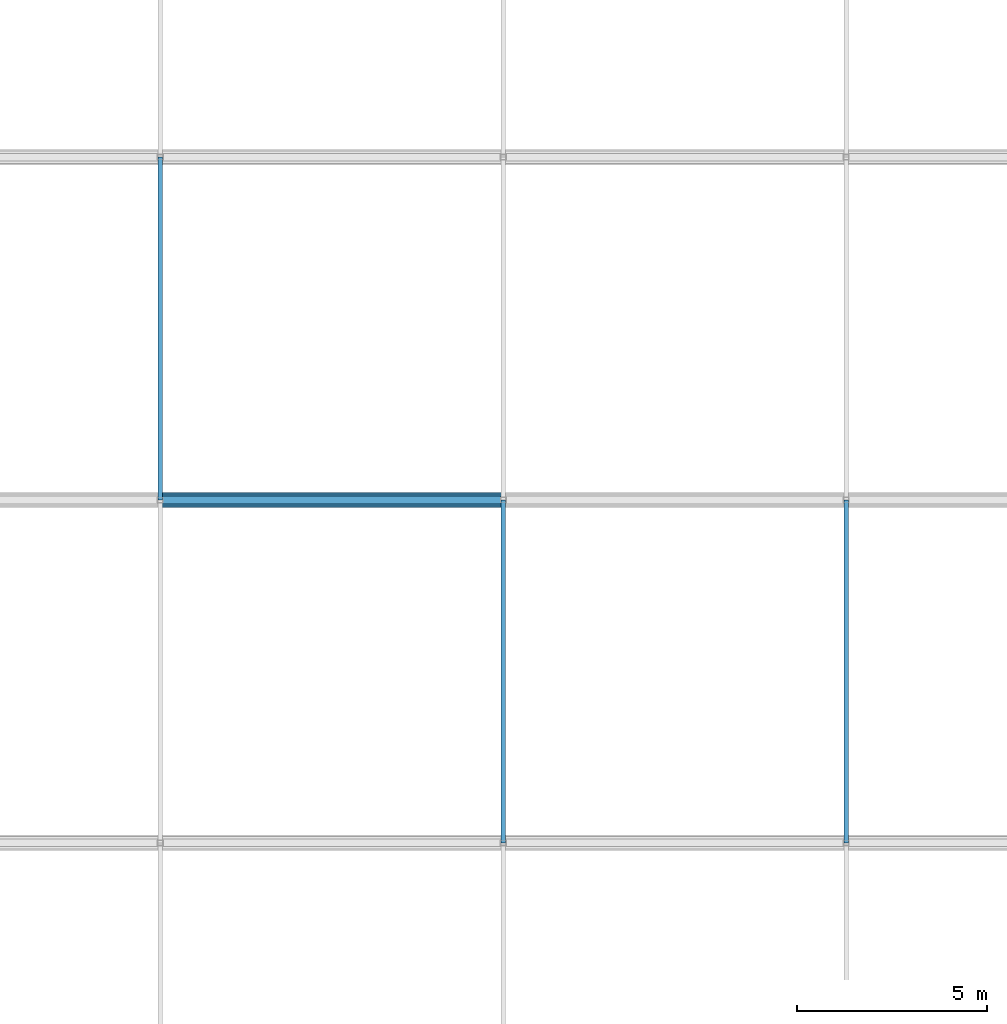
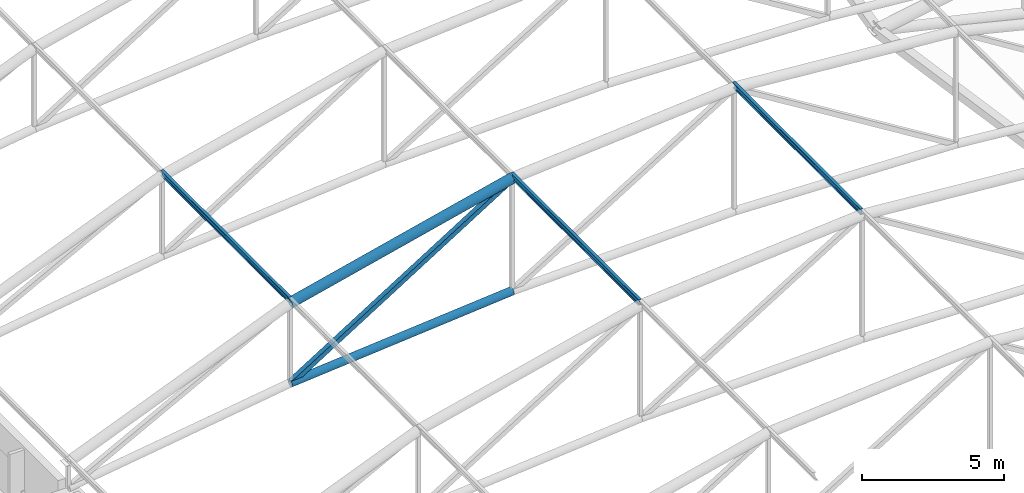
# One storey, part 41 of 167: 6 members.
"""IFC4 building model written with IfcOpenShell, lengths in metres."""

from ifc_helpers import new_model, si_unit, direction, frame, origin, origin_2d, place, context, subcontext, project, spatial, hollow_rectangle, hollow_circle, i_section, extrude, material, material_profile, profile_set, type_object, element, save


model = new_model("IFC4")

# Units and contexts
model_context = context("Model", 3, precision=1e-05, world=origin(), true_north=direction((0.0, 1.0)))
body_context = subcontext(model_context, "Body", "Model", "MODEL_VIEW")
ifc_project = project(units=[si_unit("LENGTHUNIT", "METRE"), si_unit("AREAUNIT", "SQUARE_METRE"), si_unit("VOLUMEUNIT", "CUBIC_METRE"), si_unit("PLANEANGLEUNIT", "RADIAN"), si_unit("MASSUNIT", "GRAM", prefix="KILO")], contexts=[model_context])

# Site, building, storey
site_placement = place(None, origin())
site = spatial("IfcSite", under=ifc_project, at=site_placement, CompositionType="ELEMENT")
building_placement = place(site_placement, origin())
building = spatial("IfcBuilding", under=site, at=building_placement, Name="Dornveld Trade and Exhibition Forum", CompositionType="ELEMENT")
storey_placement = place(building_placement, frame((0.0, 0.0, 16.800048828125)))
storey = spatial("IfcBuildingStorey", under=building, at=storey_placement, Name="L03", CompositionType="ELEMENT", Elevation=16.800048828125)

# Members
ifc_material_1 = material(Name="Steel S355J2", Category="steel")
ifc_material_profile_1 = material_profile(ifc_material_1, hollow_circle(Radius=0.161865234375, WallThickness=0.01611328125, at=origin_2d()), Name="CHS 323.9x16")
ifc_profile_set_1 = profile_set([ifc_material_profile_1], Name="Steel S355J2")
member_type_1 = type_object("IfcMemberType", Name="MEM-ARCH-BC", PredefinedType="CHORD", material=ifc_profile_set_1)
member_1_placement = place(storey_placement, frame((36.0, 72.0, 5.283203125), z_axis=(0.996072164085, 0.0, 0.088545151956), x_axis=(0.0, 1.0, 0.0)))
element("IfcMember", 1, at=member_1_placement, inside=storey, type_object=member_type_1, Name="H3 truss 5 tie chord 2", PredefinedType="CHORD", context=body_context, shape_type="SweptSolid", body=[
    extrude(hollow_circle(Radius=0.161865234375, WallThickness=0.01611328125, at=origin_2d()), origin(), (0.0, 0.0, 1.0), 9.035400390625),
])
ifc_material_2 = material(Name="Steel S355J2", Category="steel")
ifc_material_profile_2 = material_profile(ifc_material_2, hollow_circle(Radius=0.203125, WallThickness=0.02001953125, at=origin_2d()), Name="CHS 406.4x20")
ifc_profile_set_2 = profile_set([ifc_material_profile_2], Name="Steel S355J2")
member_type_2 = type_object("IfcMemberType", Name="MEM-ARCH-TC", PredefinedType="CHORD", material=ifc_profile_set_2)
member_2_placement = place(storey_placement, frame((36.0, 72.0, 8.716552734375), z_axis=(0.971394143806, 0.0, 0.237472982421), x_axis=(0.0, 1.0, 0.0)))
element("IfcMember", 2, at=member_2_placement, inside=storey, type_object=member_type_2, Name="H3 truss 5 top chord 2", PredefinedType="CHORD", context=body_context, shape_type="SweptSolid", body=[
    extrude(hollow_circle(Radius=0.203125, WallThickness=0.02001953125, at=origin_2d()), origin(), (0.0, 0.0, 1.0), 9.26513671875),
])
ifc_material_3 = material(Name="Steel S355J2", Category="steel")
ifc_material_profile_3 = material_profile(ifc_material_3, hollow_rectangle(XDim=0.199951171875, YDim=0.199951171875, WallThickness=0.010009765625, at=origin_2d()), Name="SHS 200x200x10")
ifc_profile_set_3 = profile_set([ifc_material_profile_3], Name="Steel S355J2")
member_type_3 = type_object("IfcMemberType", Name="MEM-ARCH-WEB", PredefinedType="BRACE", material=ifc_profile_set_3)
member_3_placement = place(storey_placement, frame((36.0, 72.0, 5.283203125), z_axis=(0.84763640931, 0.0, 0.53057753214), x_axis=(0.0, 1.0, 0.0)))
element("IfcMember", 3, at=member_3_placement, inside=storey, type_object=member_type_3, Name="H3 truss 5 web 2", PredefinedType="BRACE", context=body_context, shape_type="SweptSolid", body=[
    extrude(hollow_rectangle(XDim=0.199951171875, YDim=0.199951171875, WallThickness=0.010009765625, at=origin_2d()), origin(), (0.0, 0.0, 1.0), 10.61767578125),
])
ifc_material_4 = material(Name="Steel S355J2", Category="steel")
ifc_material_profile_4 = material_profile(ifc_material_4, i_section(OverallWidth=0.1201171875, OverallDepth=0.239990234375, WebThickness=0.006103515625, FlangeThickness=0.009765625, FilletRadius=0.014892578125, at=origin_2d()), Name="IPE 240")
ifc_profile_set_4 = profile_set([ifc_material_profile_4], Name="Steel S355J2")
member_type_4 = type_object("IfcMemberType", Name="MEM-PURLIN-240", PredefinedType="PURLIN", material=ifc_profile_set_4)
for number, where, z_axis, x_axis, name in (
    (4, (45.0, 63.0, 11.048583984375), (0.0, 1.0, 0.0), (-1.0, 0.0, 0.0), "H3 bay 4 roof purlin 3"),
    (5, (54.0, 63.0, 11.781982421875), (0.0, 1.0, 0.0), (-1.0, 0.0, 0.0), "H3 bay 4 roof purlin 4"),
    (6, (36.0, 72.0, 8.8486328125), (0.0, 1.0, 0.0), (-1.0, 0.0, 0.0), "H3 bay 5 roof purlin 2"),
):
    element("IfcMember", number, at=place(storey_placement, frame(where, z_axis=z_axis, x_axis=x_axis)), inside=storey, type_object=member_type_4, Name=name, PredefinedType="PURLIN", context=body_context, shape_type="SweptSolid", body=[
        extrude(i_section(OverallWidth=0.1201171875, OverallDepth=0.239990234375, WebThickness=0.006103515625, FlangeThickness=0.009765625, FilletRadius=0.014892578125, at=origin_2d()), origin(), (0.0, 0.0, 1.0), 9.0),
    ])

save(model, "model.ifc")
